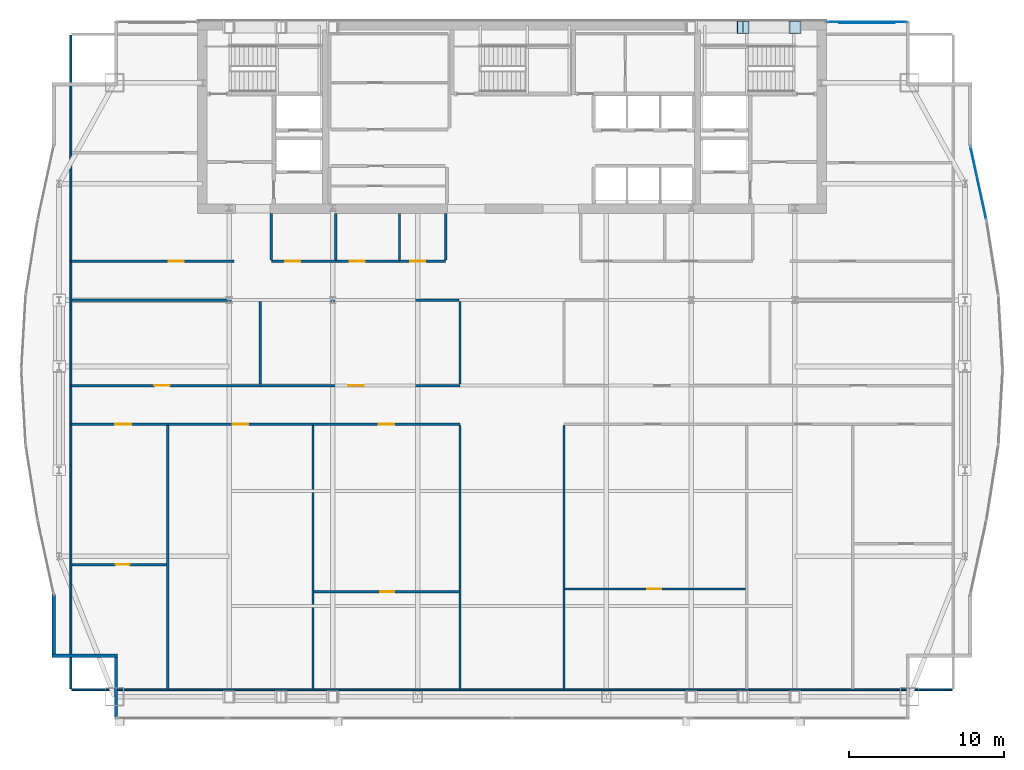
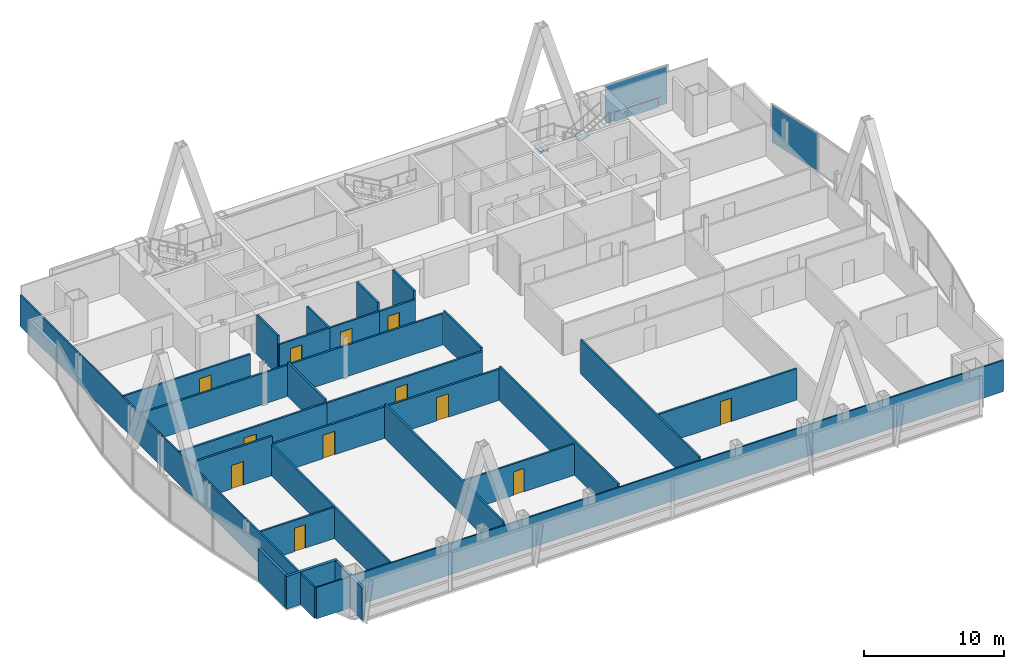
# One storey, part 28 of 33: 28 walls, 12 doors, 7 plates, 12 openings, 2 elements without a shape of their own.
"""IFC4 building model written with IfcOpenShell, lengths in metres."""

from ifc_helpers import new_model, si_unit, direction, frame, frame_2d, origin, origin_2d, place, context, subcontext, project, spatial, polyline, rectangle, outline, extrude, material, layer, layer_set, type_object, element, fill, aggregate, save


model = new_model("IFC4")

# Units and contexts
model_context = context("Model", 3, precision=1e-05, world=origin(), true_north=direction((0.0, 1.0)))
body_context = subcontext(model_context, "Body", "Model", "MODEL_VIEW")
ifc_project = project(units=[si_unit("LENGTHUNIT", "METRE"), si_unit("AREAUNIT", "SQUARE_METRE"), si_unit("VOLUMEUNIT", "CUBIC_METRE"), si_unit("PLANEANGLEUNIT", "RADIAN"), si_unit("MASSUNIT", "GRAM", prefix="KILO")], contexts=[model_context])

# Site, building, storey
site_placement = place(None, origin())
site = spatial("IfcSite", under=ifc_project, at=site_placement, CompositionType="ELEMENT")
building_placement = place(site_placement, origin())
building = spatial("IfcBuilding", under=site, at=building_placement, Name="Khoronbel Lancet Exchange", CompositionType="ELEMENT")
storey_placement = place(building_placement, frame((0.0, 0.0, 210.199951171875)))
storey = spatial("IfcBuildingStorey", under=building, at=storey_placement, Name="L53", CompositionType="ELEMENT", Elevation=210.199951171875)

# Curtain wall, plates
ifc_material_1 = material(Name="Low-E Solar Control Insulating Glass", Category="glass")
curtain_wall_type_1 = type_object("IfcCurtainWallType", Name="CW-3", PredefinedType="NOTDEFINED", material=ifc_material_1)
curtain_wall_1_placement = place(storey_placement, origin())
curtain_wall_1 = element("IfcCurtainWall", 1, at=curtain_wall_1_placement, inside=storey, type_object=curtain_wall_type_1, Name="Unitised curtain wall CW-L53-NEFLK", PredefinedType="NOTDEFINED")
ifc_material_2 = material(Name="Bronze-Anodised Aluminium 6063-T6", Category="aluminium")
ifc_layer_1 = layer(ifc_material_2, 0.050048828125, Name="Bronze-Anodised Aluminium 6063-T6")
ifc_layer_set_1 = layer_set([ifc_layer_1], Name="Bronze-Anodised Aluminium 6063-T6")
plate_type_1 = type_object("IfcPlateType", Name="PLT-CSP1", PredefinedType="SHEET", material=ifc_layer_set_1)
plate_1_placement = place(storey_placement, frame((59.320068359375, 53.550048828125, 0.0498046875), z_axis=(0.0, 0.0, 1.0), x_axis=(-1.0, 0.0, 0.0)))
plate_1 = element("IfcPlate", 2, at=plate_1_placement, type_object=plate_type_1, Name="Insulated bronze spandrel cassette CW-L53-NEFLK", PredefinedType="SHEET", context=body_context, shape_type="SweptSolid", body=[
    extrude(rectangle(XDim=3.60009765625, YDim=0.050048828125, at=origin_2d()), origin(), (0.0, 0.0, 1.0), 0.800048828125),
])
ifc_layer_2 = layer(ifc_material_1, 0.035888671875, Name="Low-E Solar Control Insulating Glass")
ifc_layer_set_2 = layer_set([ifc_layer_2], Name="Low-E Solar Control Insulating Glass")
plate_type_2 = type_object("IfcPlateType", Name="PLT-CWP1", PredefinedType="CURTAIN_PANEL", material=ifc_layer_set_2)
plate_2_placement = place(storey_placement, frame((59.320068359375, 53.610107421875, 0.0849609375), z_axis=(0.0, 0.0, 1.0), x_axis=(-1.0, 0.0, 0.0)))
plate_2 = element("IfcPlate", 3, at=plate_2_placement, type_object=plate_type_2, Name="CW3 panel 1.1", PredefinedType="CURTAIN_PANEL", context=body_context, shape_type="SweptSolid", body=[
    extrude(rectangle(XDim=5.110107421875, YDim=0.0380859375, at=origin_2d()), origin(), (0.0, 0.0, 1.0), 0.822509765625),
])
plate_3_placement = place(storey_placement, frame((59.320068359375, 53.610107421875, 0.99267578125), z_axis=(0.0, 0.0, 1.0), x_axis=(-1.0, 0.0, 0.0)))
plate_3 = element("IfcPlate", 4, at=plate_3_placement, type_object=plate_type_2, Name="CW3 panel 1.2", PredefinedType="CURTAIN_PANEL", context=body_context, shape_type="SweptSolid", body=[
    extrude(rectangle(XDim=5.110107421875, YDim=0.0380859375, at=origin_2d()), origin(), (0.0, 0.0, 1.0), 2.362548828125),
])
aggregate(curtain_wall_1, [plate_2, plate_3, plate_1])

# Curtain wall, plate
curtain_wall_type_2 = type_object("IfcCurtainWallType", Name="CW-4", PredefinedType="NOTDEFINED", material=ifc_material_1)
curtain_wall_2_placement = place(storey_placement, origin())
curtain_wall_2 = element("IfcCurtainWall", 5, at=curtain_wall_2_placement, inside=storey, type_object=curtain_wall_type_2, Name="Unitised curtain wall CW-L53-E17", PredefinedType="NOTDEFINED")
ifc_material_3 = material(Name="Ceramic-Fritted Laminated Insulating Glass", Category="glass")
ifc_layer_3 = layer(ifc_material_3, 0.0419921875, Name="Ceramic-Fritted Laminated Insulating Glass")
ifc_layer_set_3 = layer_set([ifc_layer_3], Name="Ceramic-Fritted Laminated Insulating Glass")
plate_type_3 = type_object("IfcPlateType", Name="PLT-CWP2", PredefinedType="CURTAIN_PANEL", material=ifc_layer_set_3)
plate_4_placement = place(storey_placement, frame((66.48486328125, 43.270263671875, 0.0849609375), z_axis=(0.0, 0.0, 1.0), x_axis=(0.211920804489, -0.977286842552, 0.0)))
plate_4 = element("IfcPlate", 6, at=plate_4_placement, type_object=plate_type_3, Name="CW4 panel 1.1", PredefinedType="CURTAIN_PANEL", context=body_context, shape_type="SweptSolid", body=[
    extrude(rectangle(XDim=4.802734375, YDim=0.0380859375, at=origin_2d()), origin(), (0.0, 0.0, 1.0), 3.27001953125),
])
aggregate(curtain_wall_2, [plate_4])

# Plates
ifc_material_4 = material(Name="Steel S460", Category="steel")
ifc_layer_4 = layer(ifc_material_4, 0.044921875, Name="Steel S460")
ifc_layer_set_4 = layer_set([ifc_layer_4], Name="Steel S460")
plate_type_4 = type_object("IfcPlateType", Name="PLT-ECP1", PredefinedType="USERDEFINED", material=ifc_layer_set_4)
for number, where, z_axis, x_axis, name in (
    (7, (51.7294921875, 52.8798828125, -0.08642578125), (0.295093551173, 0.0, 0.955468364759), (0.0, 1.0, 0.0), "Hollow end cap plate PLT-CAP-MEM-MB-T17-N-E-L-1"),
    (8, (50.945556640625, 53.679931640625, -0.08642578125), (-0.295093551173, 0.0, 0.955468364759), (0.0, -1.0, 0.0), "Hollow end cap plate PLT-CAP-MEM-MB-T17-N-E-R-1"),
    (9, (54.289306640625, 53.679931640625, -0.106689453125), (-0.295372103756, 0.0, 0.955382290145), (0.0, -1.0, 0.0), "Hollow end cap plate PLT-CAP-MEM-MB-T18-N-E-R-0"),
):
    element("IfcPlate", number, at=place(storey_placement, frame(where, z_axis=z_axis, x_axis=x_axis)), inside=storey, type_object=plate_type_4, Name=name, ObjectType="STIFFENER_PLATE", PredefinedType="USERDEFINED", context=body_context, shape_type="SweptSolid", body=[
        extrude(outline(polyline([(0.0, 0.0), (0.800048828125, 0.0), (0.800048828125, 0.800048828125), (0.0, 0.800048828125), (0.0, 0.0)])), origin(), (0.0, 0.0, -1.0), 0.044921875),
    ])

# Walls
ifc_material_5 = material(Name="Precast concrete C40/50", Category="concrete")
ifc_layer_5 = layer(ifc_material_5, 0.25, Name="Precast concrete C40/50")
ifc_layer_set_5 = layer_set([ifc_layer_5], Name="Precast concrete C40/50")
wall_type_1 = type_object("IfcWallType", Name="WL-EXT250", PredefinedType="SOLIDWALL", material=ifc_layer_set_5)
wall_1_placement = place(storey_placement, frame((10.93994140625, 8.77001953125, 0.0), z_axis=(0.0, 0.0, 1.0), x_axis=(0.0, 1.0, 0.0)))
element("IfcWall", 10, at=wall_1_placement, inside=storey, type_object=wall_type_1, Name="Level L53 notched-corner limestone pier 01", PredefinedType="SOLIDWALL", context=body_context, shape_type="SweptSolid", body=[
    extrude(rectangle(XDim=3.909912109375, YDim=0.219970703125, at=frame_2d((1.955078125, 0.0))), origin(), (0.0, 0.0, 1.0), 2.830078125),
])
wall_2_placement = place(storey_placement, frame((11.050048828125, 12.7900390625, 0.0), z_axis=(0.0, 0.0, 1.0), x_axis=(-1.0, 0.0, 0.0)))
element("IfcWall", 11, at=wall_2_placement, inside=storey, type_object=wall_type_1, Name="Level L53 notched-corner limestone pier 02", PredefinedType="SOLIDWALL", context=body_context, shape_type="SweptSolid", body=[
    extrude(rectangle(XDim=4.219970703125, YDim=0.219970703125, at=frame_2d((2.10986328125, 0.0))), origin(), (0.0, 0.0, 1.0), 2.830078125),
])
wall_3_placement = place(storey_placement, frame((6.93994140625, 12.89990234375, 0.0), z_axis=(0.0, 0.0, 1.0), x_axis=(0.0, 1.0, 0.0)))
element("IfcWall", 12, at=wall_3_placement, inside=storey, type_object=wall_type_1, Name="Level L53 notched-corner limestone pier 03", PredefinedType="SOLIDWALL", context=body_context, shape_type="SweptSolid", body=[
    extrude(rectangle(XDim=3.82958984375, YDim=0.219970703125, at=frame_2d((1.914794921875, 0.0))), origin(), (0.0, 0.0, 1.0), 2.830078125),
])
ifc_material_6 = material(Name="Acoustic Metal-Stud & Mineral-Wool Gypsum Partition 120 mm", Category="gypsum")
ifc_layer_6 = layer(ifc_material_6, 0.1201171875, Name="Acoustic Metal-Stud & Mineral-Wool Gypsum Partition 120 mm")
ifc_layer_set_6 = layer_set([ifc_layer_6], Name="Acoustic Metal-Stud & Mineral-Wool Gypsum Partition 120 mm")
wall_type_2 = type_object("IfcWallType", Name="WL-PRT120", PredefinedType="PARTITIONING", material=ifc_layer_set_6)
wall_4_placement = place(storey_placement, frame((20.949951171875, 38.280029296875, 0.0), z_axis=(0.0, 0.0, 1.0), x_axis=(0.0, 1.0, 0.0)))
element("IfcWall", 13, at=wall_4_placement, inside=storey, type_object=wall_type_2, Name="Level L53 interior partition PW-WC-0", PredefinedType="PARTITIONING", context=body_context, shape_type="SweptSolid", body=[
    extrude(rectangle(XDim=3.02001953125, YDim=0.14990234375, at=frame_2d((1.510009765625, 0.0))), origin(), (0.0, 0.0, 1.0), 3.43994140625),
])
wall_5_placement = place(storey_placement, frame((25.10009765625, 38.280029296875, 0.0), z_axis=(0.0, 0.0, 1.0), x_axis=(0.0, 1.0, 0.0)))
element("IfcWall", 14, at=wall_5_placement, inside=storey, type_object=wall_type_2, Name="Level L53 interior partition PW-WC-1", PredefinedType="PARTITIONING", context=body_context, shape_type="SweptSolid", body=[
    extrude(rectangle(XDim=3.02001953125, YDim=0.14990234375, at=frame_2d((1.510009765625, 0.0))), origin(), (0.0, 0.0, 1.0), 2.72998046875),
])
for number, where, z_axis, x_axis, name in (
    (15, (29.199951171875, 38.280029296875, 0.0), (0.0, 0.0, 1.0), (0.0, 1.0, 0.0), "Level L53 interior partition PW-WC-2"),
    (16, (32.179931640625, 38.280029296875, 0.0), (0.0, 0.0, 1.0), (0.0, 1.0, 0.0), "Level L53 interior partition PW-WC-3"),
):
    element("IfcWall", number, at=place(storey_placement, frame(where, z_axis=z_axis, x_axis=x_axis)), inside=storey, type_object=wall_type_2, Name=name, PredefinedType="PARTITIONING", context=body_context, shape_type="SweptSolid", body=[
        extrude(rectangle(XDim=3.02001953125, YDim=0.14990234375, at=frame_2d((1.510009765625, 0.0))), origin(), (0.0, 0.0, 1.0), 3.43994140625),
    ])

# Wall, opening, door
wall_6_placement = place(storey_placement, frame((8.094970703125, 18.666015625, 0.0), z_axis=(0.0, 0.0, 1.0), x_axis=(1.0, 0.0, 0.0)))
wall_6 = element("IfcWall", 17, at=wall_6_placement, inside=storey, type_object=wall_type_2, Name="Level L53 interior partition PW-Z3SW-H1", PredefinedType="PARTITIONING", context=body_context, shape_type="SweptSolid", body=[
    extrude(rectangle(XDim=6.10693359375, YDim=0.14990234375, at=frame_2d((3.053466796875, 0.0))), origin(), (0.0, 0.0, 1.0), 2.72998046875),
])
opening_1_placement = place(wall_6_placement, frame((2.8134765625, 0.0, 0.0)))
opening_1 = element("IfcOpeningElement", 18, at=opening_1_placement, cuts=wall_6, Name="Opening D5", PredefinedType="OPENING", context=body_context, shape_type="SweptSolid", body=[
    extrude(rectangle(XDim=0.89990234375, YDim=2.050048828125, at=frame_2d((0.449951171875, 1.02490234375))), frame((0.0, 0.0849609375, 0.0), z_axis=(0.0, -1.0, 0.0), x_axis=(1.0, 0.0, 0.0)), (0.0, 0.0, 1.0), 0.169921875),
])
ifc_material_7 = material(Name="Acoustic Timber Pantry & Support Door", Category="wood")
door_type_1 = type_object("IfcDoorType", Name="DR-D5", OperationType="NOTDEFINED", PredefinedType="DOOR", material=ifc_material_7)
door_1_placement = place(opening_1_placement, origin())
door_1 = element("IfcDoor", 19, at=door_1_placement, inside=storey, type_object=door_type_1, Name="Z3SW inner door 1 L53-1", OperationType="SINGLE_SWING_RIGHT", OverallHeight=2.050048828125, OverallWidth=0.89990234375, PredefinedType="DOOR", context=body_context, shape_type="SweptSolid", body=[
    extrude(rectangle(XDim=0.89990234375, YDim=2.050048828125, at=frame_2d((0.449951171875, 1.02490234375))), frame((0.0, 0.02490234375, 0.0), z_axis=(0.0, -1.0, 0.0), x_axis=(1.0, 0.0, 0.0)), (0.0, 0.0, 1.0), 0.050048828125),
])
fill(opening_1, door_1)

wall_7_placement = place(storey_placement, frame((23.70849609375, 16.922607421875, 0.0), z_axis=(0.0, 0.0, 1.0), x_axis=(1.0, 0.0, 0.0)))
wall_7 = element("IfcWall", 20, at=wall_7_placement, inside=storey, type_object=wall_type_2, Name="Level L53 interior partition PW-Z3SW-H3", PredefinedType="PARTITIONING", context=body_context, shape_type="SweptSolid", body=[
    extrude(rectangle(XDim=9.3115234375, YDim=0.14990234375, at=frame_2d((4.65576171875, 0.0))), origin(), (0.0, 0.0, 1.0), 2.72998046875),
])
opening_2_placement = place(wall_7_placement, frame((4.26220703125, 0.0, 0.0)))
opening_2 = element("IfcOpeningElement", 21, at=opening_2_placement, cuts=wall_7, Name="Opening D5", PredefinedType="OPENING", context=body_context, shape_type="SweptSolid", body=[
    extrude(rectangle(XDim=0.89990234375, YDim=2.050048828125, at=frame_2d((0.449951171875, 1.02490234375))), frame((0.0, 0.0849609375, 0.0), z_axis=(0.0, -1.0, 0.0), x_axis=(1.0, 0.0, 0.0)), (0.0, 0.0, 1.0), 0.169921875),
])
door_2_placement = place(opening_2_placement, origin())
door_2 = element("IfcDoor", 22, at=door_2_placement, inside=storey, type_object=door_type_1, Name="Z3SW inner door 3 L53-1", OperationType="SINGLE_SWING_LEFT", OverallHeight=2.050048828125, OverallWidth=0.89990234375, PredefinedType="DOOR", context=body_context, shape_type="SweptSolid", body=[
    extrude(rectangle(XDim=0.89990234375, YDim=2.050048828125, at=frame_2d((0.449951171875, 1.02490234375))), frame((0.0, 0.02490234375, 0.0), z_axis=(0.0, -1.0, 0.0), x_axis=(1.0, 0.0, 0.0)), (0.0, 0.0, 1.0), 0.050048828125),
])
fill(opening_2, door_2)

wall_8_placement = place(storey_placement, frame((39.8798828125, 17.097900390625, 0.0), z_axis=(0.0, 0.0, 1.0), x_axis=(1.0, 0.0, 0.0)))
wall_8 = element("IfcWall", 23, at=wall_8_placement, inside=storey, type_object=wall_type_2, Name="Level L53 interior partition PW-Z3SE-H1", PredefinedType="PARTITIONING", context=body_context, shape_type="SweptSolid", body=[
    extrude(rectangle(XDim=11.615478515625, YDim=0.14990234375, at=frame_2d((5.8076171875, 0.0))), origin(), (0.0, 0.0, 1.0), 2.72998046875),
])
opening_3_placement = place(wall_8_placement, frame((5.298828125, 0.0, 0.0)))
opening_3 = element("IfcOpeningElement", 24, at=opening_3_placement, cuts=wall_8, Name="Opening D5", PredefinedType="OPENING", context=body_context, shape_type="SweptSolid", body=[
    extrude(rectangle(XDim=0.89990234375, YDim=2.050048828125, at=frame_2d((0.449951171875, 1.02490234375))), frame((0.0, 0.0849609375, 0.0), z_axis=(0.0, -1.0, 0.0), x_axis=(1.0, 0.0, 0.0)), (0.0, 0.0, 1.0), 0.169921875),
])
door_3_placement = place(opening_3_placement, origin())
door_3 = element("IfcDoor", 25, at=door_3_placement, inside=storey, type_object=door_type_1, Name="Z3SE inner door 1 L53-1", OperationType="SINGLE_SWING_LEFT", OverallHeight=2.050048828125, OverallWidth=0.89990234375, PredefinedType="DOOR", context=body_context, shape_type="SweptSolid", body=[
    extrude(rectangle(XDim=0.89990234375, YDim=2.050048828125, at=frame_2d((0.449951171875, 1.02490234375))), frame((0.0, 0.02490234375, 0.0), z_axis=(0.0, -1.0, 0.0), x_axis=(1.0, 0.0, 0.0)), (0.0, 0.0, 1.0), 0.050048828125),
])
fill(opening_3, door_3)

# Walls
wall_9_placement = place(storey_placement, frame((8.030029296875, 10.6650390625, 0.0), z_axis=(0.0, 0.0, 1.0), x_axis=(0.0, 1.0, 0.0)))
element("IfcWall", 26, at=wall_9_placement, inside=storey, type_object=wall_type_2, Name="Level L53 interior partition PW-LIN-W", PredefinedType="PARTITIONING", context=body_context, shape_type="SweptSolid", body=[
    extrude(rectangle(XDim=42.10986328125, YDim=0.1201171875, at=frame_2d((21.054931640625, 0.0))), origin(), (0.0, 0.0, 1.0), 2.72998046875),
])
wall_10_placement = place(storey_placement, frame((8.094970703125, 10.60009765625, 0.0), z_axis=(0.0, 0.0, 1.0), x_axis=(1.0, 0.0, 0.0)))
element("IfcWall", 27, at=wall_10_placement, inside=storey, type_object=wall_type_2, Name="Level L53 interior partition PW-LIN-S", PredefinedType="PARTITIONING", context=body_context, shape_type="SweptSolid", body=[
    extrude(rectangle(XDim=56.7099609375, YDim=0.1201171875, at=frame_2d((28.35498046875, 0.0))), origin(), (0.0, 0.0, 1.0), 2.72998046875),
])

# Wall, opening, door
ifc_material_8 = material(Name="Fire-Rated Twin-Stud Acoustic Gypsum Partition 150 mm", Category="gypsum")
ifc_layer_7 = layer(ifc_material_8, 0.14990234375, Name="Fire-Rated Twin-Stud Acoustic Gypsum Partition 150 mm")
ifc_layer_set_7 = layer_set([ifc_layer_7], Name="Fire-Rated Twin-Stud Acoustic Gypsum Partition 150 mm")
wall_type_3 = type_object("IfcWallType", Name="WL-PRT150C", PredefinedType="PARTITIONING", material=ifc_layer_set_7)
wall_11_placement = place(storey_placement, frame((20.949951171875, 38.199951171875, 0.0), z_axis=(0.0, 0.0, 1.0), x_axis=(1.0, 0.0, 0.0)))
wall_11 = element("IfcWall", 28, at=wall_11_placement, inside=storey, type_object=wall_type_3, Name="Level L53 interior partition PW-WC-S1", PredefinedType="PARTITIONING", context=body_context, shape_type="SweptSolid", body=[
    extrude(rectangle(XDim=4.150146484375, YDim=0.14990234375, at=frame_2d((2.0751953125, 0.0))), origin(), (0.0, 0.0, 1.0), 2.72998046875),
])
opening_4_placement = place(wall_11_placement, frame((0.89990234375, 0.0, 0.0)))
opening_4 = element("IfcOpeningElement", 29, at=opening_4_placement, cuts=wall_11, Name="Opening D4", PredefinedType="OPENING", context=body_context, shape_type="SweptSolid", body=[
    extrude(rectangle(XDim=0.949951171875, YDim=2.050048828125, at=frame_2d((0.47509765625, 1.02490234375))), frame((0.0, 0.0849609375, 0.0), z_axis=(0.0, -1.0, 0.0), x_axis=(1.0, 0.0, 0.0)), (0.0, 0.0, 1.0), 0.169921875),
])
ifc_material_9 = material(Name="Moisture-Resistant HPL Washroom Door", Category="wood")
door_type_2 = type_object("IfcDoorType", Name="DR-D4", OperationType="NOTDEFINED", PredefinedType="DOOR", material=ifc_material_9)
door_4_placement = place(opening_4_placement, origin())
door_4 = element("IfcDoor", 30, at=door_4_placement, inside=storey, type_object=door_type_2, Name="Male washroom door L53-1", OperationType="SINGLE_SWING_RIGHT", OverallHeight=2.050048828125, OverallWidth=0.949951171875, PredefinedType="DOOR", context=body_context, shape_type="SweptSolid", body=[
    extrude(rectangle(XDim=0.949951171875, YDim=2.050048828125, at=frame_2d((0.47509765625, 1.02490234375))), frame((0.0, 0.02490234375, 0.0), z_axis=(0.0, -1.0, 0.0), x_axis=(1.0, 0.0, 0.0)), (0.0, 0.0, 1.0), 0.050048828125),
])
fill(opening_4, door_4)

wall_12_placement = place(storey_placement, frame((25.10009765625, 38.199951171875, 0.0), z_axis=(0.0, 0.0, 1.0), x_axis=(1.0, 0.0, 0.0)))
wall_12 = element("IfcWall", 31, at=wall_12_placement, inside=storey, type_object=wall_type_3, Name="Level L53 interior partition PW-WC-S2", PredefinedType="PARTITIONING", context=body_context, shape_type="SweptSolid", body=[
    extrude(rectangle(XDim=4.099853515625, YDim=0.14990234375, at=frame_2d((2.0498046875, 0.0))), origin(), (0.0, 0.0, 1.0), 2.72998046875),
])
opening_5_placement = place(wall_12_placement, frame((0.89990234375, 0.0, 0.0)))
opening_5 = element("IfcOpeningElement", 32, at=opening_5_placement, cuts=wall_12, Name="Opening D4", PredefinedType="OPENING", context=body_context, shape_type="SweptSolid", body=[
    extrude(rectangle(XDim=0.949951171875, YDim=2.050048828125, at=frame_2d((0.47509765625, 1.02490234375))), frame((0.0, 0.0849609375, 0.0), z_axis=(0.0, -1.0, 0.0), x_axis=(1.0, 0.0, 0.0)), (0.0, 0.0, 1.0), 0.169921875),
])
door_5_placement = place(opening_5_placement, origin())
door_5 = element("IfcDoor", 33, at=door_5_placement, inside=storey, type_object=door_type_2, Name="Female washroom door L53-1", OperationType="SINGLE_SWING_LEFT", OverallHeight=2.050048828125, OverallWidth=0.949951171875, PredefinedType="DOOR", context=body_context, shape_type="SweptSolid", body=[
    extrude(rectangle(XDim=0.949951171875, YDim=2.050048828125, at=frame_2d((0.47509765625, 1.02490234375))), frame((0.0, 0.02490234375, 0.0), z_axis=(0.0, -1.0, 0.0), x_axis=(1.0, 0.0, 0.0)), (0.0, 0.0, 1.0), 0.050048828125),
])
fill(opening_5, door_5)

wall_13_placement = place(storey_placement, frame((29.199951171875, 38.199951171875, 0.0), z_axis=(0.0, 0.0, 1.0), x_axis=(1.0, 0.0, 0.0)))
wall_13 = element("IfcWall", 34, at=wall_13_placement, inside=storey, type_object=wall_type_3, Name="Level L53 interior partition PW-WC-S3", PredefinedType="PARTITIONING", context=body_context, shape_type="SweptSolid", body=[
    extrude(rectangle(XDim=2.97998046875, YDim=0.14990234375, at=frame_2d((1.489990234375, 0.0))), origin(), (0.0, 0.0, 1.0), 2.72998046875),
])
opening_6_placement = place(wall_13_placement, frame((0.699951171875, 0.0, 0.0)))
opening_6 = element("IfcOpeningElement", 35, at=opening_6_placement, cuts=wall_13, Name="Opening D4", PredefinedType="OPENING", context=body_context, shape_type="SweptSolid", body=[
    extrude(rectangle(XDim=0.949951171875, YDim=2.050048828125, at=frame_2d((0.47509765625, 1.02490234375))), frame((0.0, 0.0849609375, 0.0), z_axis=(0.0, -1.0, 0.0), x_axis=(1.0, 0.0, 0.0)), (0.0, 0.0, 1.0), 0.169921875),
])
door_6_placement = place(opening_6_placement, origin())
door_6 = element("IfcDoor", 36, at=door_6_placement, inside=storey, type_object=door_type_2, Name="Accessible WC door L53-1", OperationType="SINGLE_SWING_RIGHT", OverallHeight=2.050048828125, OverallWidth=0.949951171875, PredefinedType="DOOR", context=body_context, shape_type="SweptSolid", body=[
    extrude(rectangle(XDim=0.949951171875, YDim=2.050048828125, at=frame_2d((0.47509765625, 1.02490234375))), frame((0.0, 0.02490234375, 0.0), z_axis=(0.0, -1.0, 0.0), x_axis=(1.0, 0.0, 0.0)), (0.0, 0.0, 1.0), 0.050048828125),
])
fill(opening_6, door_6)

wall_14_placement = place(storey_placement, frame((8.030029296875, 38.199951171875, 0.0), z_axis=(0.0, 0.0, 1.0), x_axis=(1.0, 0.0, 0.0)))
wall_14 = element("IfcWall", 37, at=wall_14_placement, inside=storey, type_object=wall_type_3, Name="Level L53 interior partition PW-NW-S", PredefinedType="PARTITIONING", context=body_context, shape_type="SweptSolid", body=[
    extrude(rectangle(XDim=10.52001953125, YDim=0.14990234375, at=frame_2d((5.260009765625, 0.0))), origin(), (0.0, 0.0, 1.0), 2.72998046875),
])
opening_7_placement = place(wall_14_placement, frame((6.320068359375, 0.0, 0.0)))
opening_7 = element("IfcOpeningElement", 38, at=opening_7_placement, cuts=wall_14, Name="Opening D1", PredefinedType="OPENING", context=body_context, shape_type="SweptSolid", body=[
    extrude(rectangle(XDim=0.949951171875, YDim=2.050048828125, at=frame_2d((0.47509765625, 1.02490234375))), frame((0.0, 0.0849609375, 0.0), z_axis=(0.0, -1.0, 0.0), x_axis=(1.0, 0.0, 0.0)), (0.0, 0.0, 1.0), 0.169921875),
])
ifc_material_10 = material(Name="Acoustic Veneered Timber & Bronze Frame Door", Category="wood")
door_type_3 = type_object("IfcDoorType", Name="DR-D1", OperationType="NOTDEFINED", PredefinedType="DOOR", material=ifc_material_10)
door_7_placement = place(opening_7_placement, origin())
door_7 = element("IfcDoor", 39, at=door_7_placement, inside=storey, type_object=door_type_3, Name="NW corner room door L53-1", OperationType="SINGLE_SWING_LEFT", OverallHeight=2.050048828125, OverallWidth=0.949951171875, PredefinedType="DOOR", context=body_context, shape_type="SweptSolid", body=[
    extrude(rectangle(XDim=0.949951171875, YDim=2.050048828125, at=frame_2d((0.47509765625, 1.02490234375))), frame((0.0, 0.02490234375, 0.0), z_axis=(0.0, -1.0, 0.0), x_axis=(1.0, 0.0, 0.0)), (0.0, 0.0, 1.0), 0.050048828125),
])
fill(opening_7, door_7)

# Walls
for number, where, z_axis, x_axis, name in (
    (40, (33.10009765625, 10.6650390625, 0.0), (0.0, 0.0, 1.0), (0.0, 1.0, 0.0), "Level L53 interior partition PW-Z3-CW1"),
    (41, (39.800048828125, 10.6650390625, 0.0), (0.0, 0.0, 1.0), (0.0, 1.0, 0.0), "Level L53 interior partition PW-Z3-CE1"),
):
    element("IfcWall", number, at=place(storey_placement, frame(where, z_axis=z_axis, x_axis=x_axis)), inside=storey, type_object=wall_type_3, Name=name, PredefinedType="PARTITIONING", context=body_context, shape_type="SweptSolid", body=[
        extrude(rectangle(XDim=16.949951171875, YDim=0.14990234375, at=frame_2d((8.47509765625, 0.0))), origin(), (0.0, 0.0, 1.0), 2.97998046875),
    ])
wall_15_placement = place(storey_placement, frame((33.10009765625, 30.284912109375, 0.0), z_axis=(0.0, 0.0, 1.0), x_axis=(0.0, 1.0, 0.0)))
element("IfcWall", 42, at=wall_15_placement, inside=storey, type_object=wall_type_3, Name="Level L53 interior partition PW-Z3-CW2", PredefinedType="PARTITIONING", context=body_context, shape_type="SweptSolid", body=[
    extrude(rectangle(XDim=5.335205078125, YDim=0.14990234375, at=frame_2d((2.66748046875, 0.0))), origin(), (0.0, 0.0, 1.0), 2.97998046875),
])
wall_16_placement = place(storey_placement, frame((8.094970703125, 35.699951171875, 0.0), z_axis=(0.0, 0.0, 1.0), x_axis=(1.0, 0.0, 0.0)))
element("IfcWall", 43, at=wall_16_placement, inside=storey, type_object=wall_type_3, Name="Level L53 interior partition PW-Z3-WN", PredefinedType="PARTITIONING", context=body_context, shape_type="SweptSolid", body=[
    extrude(rectangle(XDim=24.925048828125, YDim=0.14990234375, at=frame_2d((12.46240234375, 0.0))), origin(), (0.0, 0.0, 1.0), 2.72998046875),
])
wall_17_placement = place(storey_placement, frame((14.281982421875, 10.6650390625, 0.0), z_axis=(0.0, 0.0, 1.0), x_axis=(0.0, 1.0, 0.0)))
element("IfcWall", 44, at=wall_17_placement, inside=storey, type_object=wall_type_3, Name="Level L53 interior partition PW-Z3SW-V1", PredefinedType="PARTITIONING", context=body_context, shape_type="SweptSolid", body=[
    extrude(rectangle(XDim=16.949951171875, YDim=0.14990234375, at=frame_2d((8.47509765625, 0.0))), origin(), (0.0, 0.0, 1.0), 2.72998046875),
])
wall_18_placement = place(storey_placement, frame((23.628662109375, 10.6650390625, 0.0), z_axis=(0.0, 0.0, 1.0), x_axis=(0.0, 1.0, 0.0)))
element("IfcWall", 45, at=wall_18_placement, inside=storey, type_object=wall_type_3, Name="Level L53 interior partition PW-Z3SW-V2", PredefinedType="PARTITIONING", context=body_context, shape_type="SweptSolid", body=[
    extrude(rectangle(XDim=16.949951171875, YDim=0.14990234375, at=frame_2d((8.47509765625, 0.0))), origin(), (0.0, 0.0, 1.0), 2.97998046875),
])
wall_19_placement = place(storey_placement, frame((20.23583984375, 30.284912109375, 0.0), z_axis=(0.0, 0.0, 1.0), x_axis=(0.0, 1.0, 0.0)))
element("IfcWall", 46, at=wall_19_placement, inside=storey, type_object=wall_type_3, Name="Level L53 interior partition PW-Z3NW-V1", PredefinedType="PARTITIONING", context=body_context, shape_type="SweptSolid", body=[
    extrude(rectangle(XDim=5.335205078125, YDim=0.14990234375, at=frame_2d((2.66748046875, 0.0))), origin(), (0.0, 0.0, 1.0), 2.97998046875),
])

# Wall, opening, door
ifc_material_11 = material(Name="Fire-Rated Twin-Stud Acoustic Gypsum Partition 160 mm", Category="gypsum")
ifc_layer_8 = layer(ifc_material_11, 0.159912109375, Name="Fire-Rated Twin-Stud Acoustic Gypsum Partition 160 mm")
ifc_layer_set_8 = layer_set([ifc_layer_8], Name="Fire-Rated Twin-Stud Acoustic Gypsum Partition 160 mm")
wall_type_4 = type_object("IfcWallType", Name="WL-PRT160C", PredefinedType="PARTITIONING", material=ifc_layer_set_8)
wall_20_placement = place(storey_placement, frame((8.030029296875, 27.699951171875, 0.0), z_axis=(0.0, 0.0, 1.0), x_axis=(1.0, 0.0, 0.0)))
wall_20 = element("IfcWall", 47, at=wall_20_placement, inside=storey, type_object=wall_type_4, Name="Level L53 interior partition PW-Z3SW-COR1", PredefinedType="PARTITIONING", context=body_context, shape_type="SweptSolid", body=[
    extrude(rectangle(XDim=6.251953125, YDim=0.159912109375, at=frame_2d((3.1259765625, 0.0))), origin(), (0.0, 0.0, 1.0), 3.43994140625),
])
opening_8_placement = place(wall_20_placement, frame((2.875732421875, 0.0, 0.0)))
opening_8 = element("IfcOpeningElement", 48, at=opening_8_placement, cuts=wall_20, Name="Opening D2", PredefinedType="OPENING", context=body_context, shape_type="SweptSolid", body=[
    extrude(rectangle(XDim=1.0, YDim=2.050048828125, at=frame_2d((0.5, 1.02490234375))), frame((0.0, 0.08984375, 0.0), z_axis=(0.0, -1.0, 0.0), x_axis=(1.0, 0.0, 0.0)), (0.0, 0.0, 1.0), 0.179931640625),
])
door_type_4 = type_object("IfcDoorType", Name="DR-D2", OperationType="NOTDEFINED", PredefinedType="DOOR", material=ifc_material_10)
door_8_placement = place(opening_8_placement, origin())
door_8 = element("IfcDoor", 49, at=door_8_placement, inside=storey, type_object=door_type_4, Name="Z3SW bay 1 door L53-1", OperationType="SINGLE_SWING_LEFT", OverallHeight=2.050048828125, OverallWidth=1.0, PredefinedType="DOOR", context=body_context, shape_type="SweptSolid", body=[
    extrude(rectangle(XDim=1.0, YDim=2.050048828125, at=frame_2d((0.5, 1.02490234375))), frame((0.0, 0.02490234375, 0.0), z_axis=(0.0, -1.0, 0.0), x_axis=(1.0, 0.0, 0.0)), (0.0, 0.0, 1.0), 0.050048828125),
])
fill(opening_8, door_8)

wall_21_placement = place(storey_placement, frame((14.281982421875, 27.699951171875, 0.0), z_axis=(0.0, 0.0, 1.0), x_axis=(1.0, 0.0, 0.0)))
wall_21 = element("IfcWall", 50, at=wall_21_placement, inside=storey, type_object=wall_type_4, Name="Level L53 interior partition PW-Z3SW-COR2", PredefinedType="PARTITIONING", context=body_context, shape_type="SweptSolid", body=[
    extrude(rectangle(XDim=9.3466796875, YDim=0.159912109375, at=frame_2d((4.67333984375, 0.0))), origin(), (0.0, 0.0, 1.0), 2.72998046875),
])
opening_9_placement = place(wall_21_placement, frame((4.175537109375, 0.0, 0.0)))
opening_9 = element("IfcOpeningElement", 51, at=opening_9_placement, cuts=wall_21, Name="Opening D2", PredefinedType="OPENING", context=body_context, shape_type="SweptSolid", body=[
    extrude(rectangle(XDim=1.0, YDim=2.050048828125, at=frame_2d((0.5, 1.02490234375))), frame((0.0, 0.08984375, 0.0), z_axis=(0.0, -1.0, 0.0), x_axis=(1.0, 0.0, 0.0)), (0.0, 0.0, 1.0), 0.179931640625),
])
door_9_placement = place(opening_9_placement, origin())
door_9 = element("IfcDoor", 52, at=door_9_placement, inside=storey, type_object=door_type_4, Name="Z3SW bay 2 door L53-1", OperationType="SINGLE_SWING_LEFT", OverallHeight=2.050048828125, OverallWidth=1.0, PredefinedType="DOOR", context=body_context, shape_type="SweptSolid", body=[
    extrude(rectangle(XDim=1.0, YDim=2.050048828125, at=frame_2d((0.5, 1.02490234375))), frame((0.0, 0.02490234375, 0.0), z_axis=(0.0, -1.0, 0.0), x_axis=(1.0, 0.0, 0.0)), (0.0, 0.0, 1.0), 0.050048828125),
])
fill(opening_9, door_9)

wall_22_placement = place(storey_placement, frame((23.628662109375, 27.699951171875, 0.0), z_axis=(0.0, 0.0, 1.0), x_axis=(1.0, 0.0, 0.0)))
wall_22 = element("IfcWall", 53, at=wall_22_placement, inside=storey, type_object=wall_type_4, Name="Level L53 interior partition PW-Z3SW-COR3", PredefinedType="PARTITIONING", context=body_context, shape_type="SweptSolid", body=[
    extrude(rectangle(XDim=9.471435546875, YDim=0.159912109375, at=frame_2d((4.73583984375, 0.0))), origin(), (0.0, 0.0, 1.0), 2.72998046875),
])
opening_10_placement = place(wall_22_placement, frame((4.22802734375, 0.0, 0.0)))
opening_10 = element("IfcOpeningElement", 54, at=opening_10_placement, cuts=wall_22, Name="Opening D2", PredefinedType="OPENING", context=body_context, shape_type="SweptSolid", body=[
    extrude(rectangle(XDim=1.0, YDim=2.050048828125, at=frame_2d((0.5, 1.02490234375))), frame((0.0, 0.08984375, 0.0), z_axis=(0.0, -1.0, 0.0), x_axis=(1.0, 0.0, 0.0)), (0.0, 0.0, 1.0), 0.179931640625),
])
door_10_placement = place(opening_10_placement, origin())
door_10 = element("IfcDoor", 55, at=door_10_placement, inside=storey, type_object=door_type_4, Name="Z3SW bay 3 door L53-1", OperationType="SINGLE_SWING_RIGHT", OverallHeight=2.050048828125, OverallWidth=1.0, PredefinedType="DOOR", context=body_context, shape_type="SweptSolid", body=[
    extrude(rectangle(XDim=1.0, YDim=2.050048828125, at=frame_2d((0.5, 1.02490234375))), frame((0.0, 0.02490234375, 0.0), z_axis=(0.0, -1.0, 0.0), x_axis=(1.0, 0.0, 0.0)), (0.0, 0.0, 1.0), 0.050048828125),
])
fill(opening_10, door_10)

wall_23_placement = place(storey_placement, frame((8.030029296875, 30.199951171875, 0.0), z_axis=(0.0, 0.0, 1.0), x_axis=(1.0, 0.0, 0.0)))
wall_23 = element("IfcWall", 56, at=wall_23_placement, inside=storey, type_object=wall_type_4, Name="Level L53 interior partition PW-Z3NW-COR1", PredefinedType="PARTITIONING", context=body_context, shape_type="SweptSolid", body=[
    extrude(rectangle(XDim=12.205810546875, YDim=0.159912109375, at=frame_2d((6.10302734375, 0.0))), origin(), (0.0, 0.0, 1.0), 2.72998046875),
])
opening_11_placement = place(wall_23_placement, frame((5.37646484375, 0.0, 0.0)))
opening_11 = element("IfcOpeningElement", 57, at=opening_11_placement, cuts=wall_23, Name="Opening D2", PredefinedType="OPENING", context=body_context, shape_type="SweptSolid", body=[
    extrude(rectangle(XDim=1.0, YDim=2.050048828125, at=frame_2d((0.5, 1.02490234375))), frame((0.0, 0.08984375, 0.0), z_axis=(0.0, -1.0, 0.0), x_axis=(1.0, 0.0, 0.0)), (0.0, 0.0, 1.0), 0.179931640625),
])
door_11_placement = place(opening_11_placement, origin())
door_11 = element("IfcDoor", 58, at=door_11_placement, inside=storey, type_object=door_type_4, Name="Z3NW bay 1 door L53-1", OperationType="SINGLE_SWING_LEFT", OverallHeight=2.050048828125, OverallWidth=1.0, PredefinedType="DOOR", context=body_context, shape_type="SweptSolid", body=[
    extrude(rectangle(XDim=1.0, YDim=2.050048828125, at=frame_2d((0.5, 1.02490234375))), frame((0.0, 0.02490234375, 0.0), z_axis=(0.0, -1.0, 0.0), x_axis=(1.0, 0.0, 0.0)), (0.0, 0.0, 1.0), 0.050048828125),
])
fill(opening_11, door_11)

wall_24_placement = place(storey_placement, frame((20.23583984375, 30.199951171875, 0.0), z_axis=(0.0, 0.0, 1.0), x_axis=(1.0, 0.0, 0.0)))
wall_24 = element("IfcWall", 59, at=wall_24_placement, inside=storey, type_object=wall_type_4, Name="Level L53 interior partition PW-Z3NW-COR2", PredefinedType="PARTITIONING", context=body_context, shape_type="SweptSolid", body=[
    extrude(rectangle(XDim=12.8642578125, YDim=0.159912109375, at=frame_2d((6.43212890625, 0.0))), origin(), (0.0, 0.0, 1.0), 2.72998046875),
])
opening_12_placement = place(wall_24_placement, frame((5.65283203125, 0.0, 0.0)))
opening_12 = element("IfcOpeningElement", 60, at=opening_12_placement, cuts=wall_24, Name="Opening D2", PredefinedType="OPENING", context=body_context, shape_type="SweptSolid", body=[
    extrude(rectangle(XDim=1.0, YDim=2.050048828125, at=frame_2d((0.5, 1.02490234375))), frame((0.0, 0.08984375, 0.0), z_axis=(0.0, -1.0, 0.0), x_axis=(1.0, 0.0, 0.0)), (0.0, 0.0, 1.0), 0.179931640625),
])
door_12_placement = place(opening_12_placement, origin())
door_12 = element("IfcDoor", 61, at=door_12_placement, inside=storey, type_object=door_type_4, Name="Z3NW bay 2 door L53-1", OperationType="SINGLE_SWING_RIGHT", OverallHeight=2.050048828125, OverallWidth=1.0, PredefinedType="DOOR", context=body_context, shape_type="SweptSolid", body=[
    extrude(rectangle(XDim=1.0, YDim=2.050048828125, at=frame_2d((0.5, 1.02490234375))), frame((0.0, 0.02490234375, 0.0), z_axis=(0.0, -1.0, 0.0), x_axis=(1.0, 0.0, 0.0)), (0.0, 0.0, 1.0), 0.050048828125),
])
fill(opening_12, door_12)

save(model, "model.ifc")
